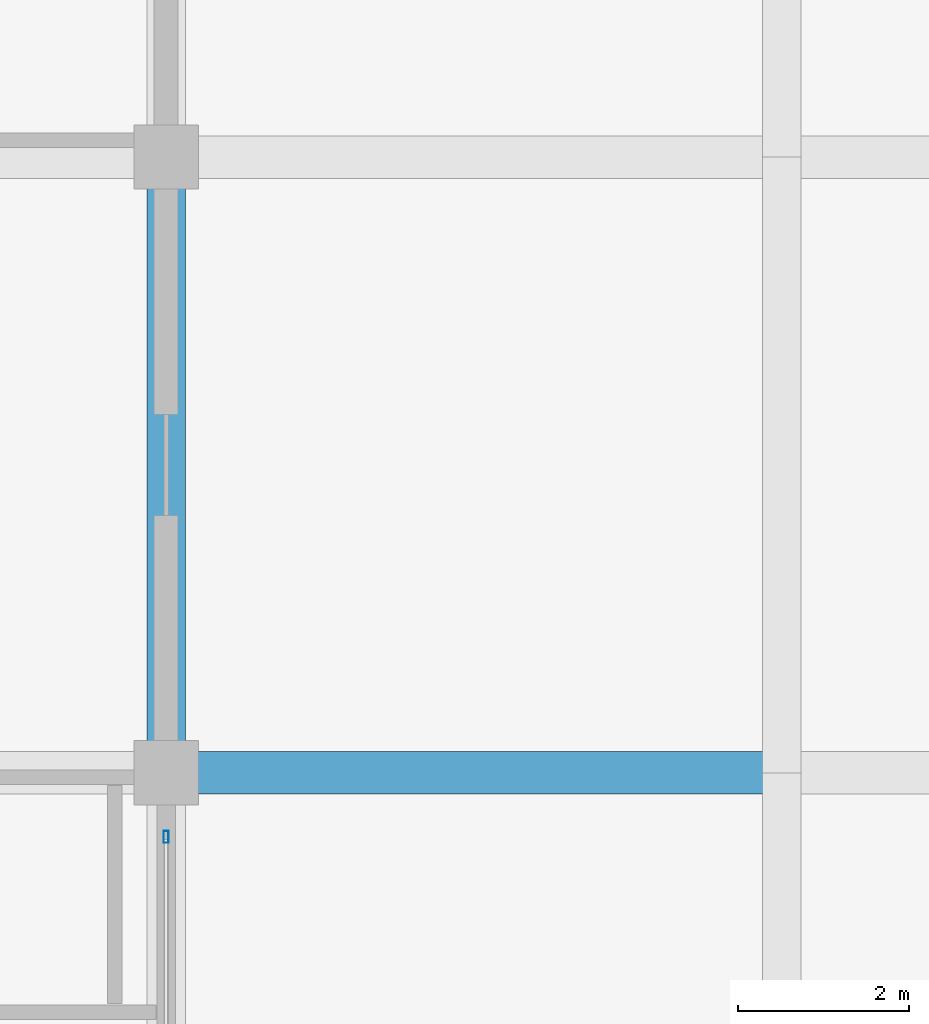
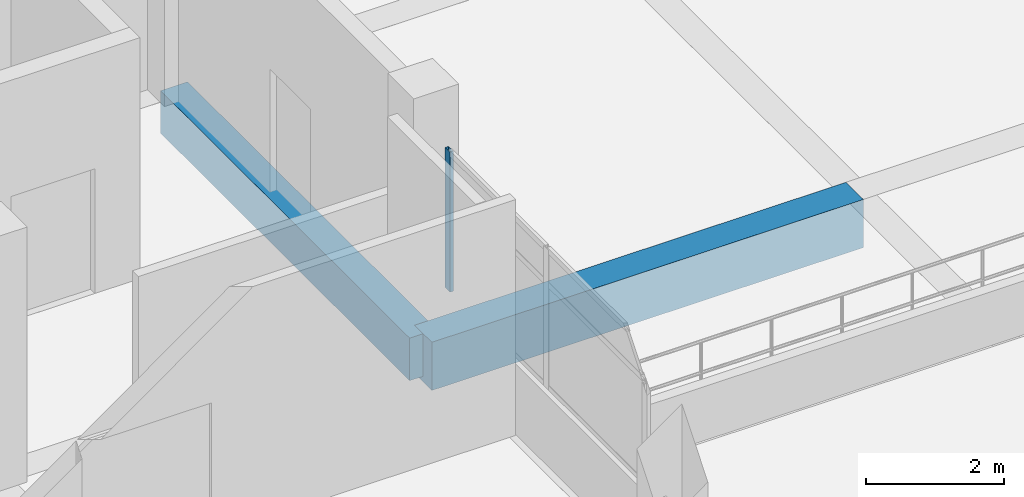
# One storey, part 39 of 141: 2 beams, 1 member, 1 element without a shape of its own.
"""IFC4 building model written with IfcOpenShell, lengths in metres."""

from ifc_helpers import new_model, si_unit, direction, frame, origin, origin_2d, place, context, subcontext, project, spatial, rectangle, hollow_rectangle, extrude, material, layer, layer_set, material_profile, profile_set, type_object, element, aggregate, save


model = new_model("IFC4")

# Units and contexts
model_context = context("Model", 3, precision=1e-05, world=origin(), true_north=direction((0.0, 1.0)))
body_context = subcontext(model_context, "Body", "Model", "MODEL_VIEW")
ifc_project = project(units=[si_unit("LENGTHUNIT", "METRE"), si_unit("AREAUNIT", "SQUARE_METRE"), si_unit("VOLUMEUNIT", "CUBIC_METRE"), si_unit("PLANEANGLEUNIT", "RADIAN"), si_unit("MASSUNIT", "GRAM", prefix="KILO")], contexts=[model_context])

# Site, building, storey
site_placement = place(None, origin())
site = spatial("IfcSite", under=ifc_project, at=site_placement, CompositionType="ELEMENT")
building_placement = place(site_placement, origin())
building = spatial("IfcBuilding", under=site, at=building_placement, Name="Seraya Terrace Polytechnic", CompositionType="ELEMENT")
storey_placement = place(building_placement, frame((0.0, 0.0, 14.39990234375)))
storey = spatial("IfcBuildingStorey", under=building, at=storey_placement, Name="L03", CompositionType="ELEMENT", Elevation=14.39990234375)

# Beams
ifc_material_1 = material(Name="Concrete C40/50", Category="concrete")
ifc_material_profile_1 = material_profile(ifc_material_1, rectangle(XDim=0.5, YDim=0.85009765625, at=origin_2d()), Name="RC 500x850")
ifc_profile_set_1 = profile_set([ifc_material_profile_1], Name="Concrete C40/50")
beam_type_1 = type_object("IfcBeamType", Name="BM-05", PredefinedType="BEAM", material=ifc_profile_set_1)
beam_1_placement = place(storey_placement, frame((115.199951171875, 7.199951171875, -0.4248046875), z_axis=(1.0, 0.0, 0.0), x_axis=(0.0, 1.0, 0.0)))
element("IfcBeam", 1, at=beam_1_placement, inside=storey, type_object=beam_type_1, Name="Beam BM-05 L03 X (115.2..122.4, 7.2)", PredefinedType="BEAM", context=body_context, shape_type="SweptSolid", body=[
    extrude(rectangle(XDim=0.5, YDim=0.85009765625, at=origin_2d()), origin(), (0.0, 0.0, 1.0), 7.199951171875),
])
ifc_material_profile_2 = material_profile(ifc_material_1, rectangle(XDim=0.449951171875, YDim=0.75, at=origin_2d()), Name="RC 450x750")
ifc_profile_set_2 = profile_set([ifc_material_profile_2], Name="Concrete C40/50")
beam_type_2 = type_object("IfcBeamType", Name="BM-08", PredefinedType="BEAM", material=ifc_profile_set_2)
beam_2_placement = place(storey_placement, frame((115.199951171875, 7.199951171875, -0.375), z_axis=(0.0, 1.0, 0.0), x_axis=(-1.0, 0.0, 0.0)))
element("IfcBeam", 2, at=beam_2_placement, inside=storey, type_object=beam_type_2, Name="Beam BM-08 L03 Y (115.2, 7.2..14.4)", PredefinedType="BEAM", context=body_context, shape_type="SweptSolid", body=[
    extrude(rectangle(XDim=0.449951171875, YDim=0.75, at=origin_2d()), origin(), (0.0, 0.0, 1.0), 7.199951171875),
])

# Curtain wall, member
ifc_material_2 = material(Name="Anodised aluminium EN AW-6063 T6", Category="aluminium")
ifc_layer = layer(ifc_material_2, 0.179931640625, Name="CW-27")
ifc_layer_set = layer_set([ifc_layer], Name="Anodised aluminium EN AW-6063 T6")
curtain_wall_type = type_object("IfcCurtainWallType", Name="CW-27", PredefinedType="NOTDEFINED", material=ifc_layer_set)
curtain_wall_placement = place(storey_placement, origin())
curtain_wall = element("IfcCurtainWall", 3, at=curtain_wall_placement, inside=storey, type_object=curtain_wall_type, Name="Unitised curtain wall CW-27 (CW-L03-135)", PredefinedType="NOTDEFINED")
ifc_material_profile_3 = material_profile(ifc_material_2, hollow_rectangle(XDim=0.06005859375, YDim=0.139892578125, WallThickness=0.00341796875, at=origin_2d()), Name="RHS 140x60x3.5")
ifc_profile_set_3 = profile_set([ifc_material_profile_3], Name="Anodised aluminium EN AW-6063 T6")
member_type = type_object("IfcMemberType", Name="CWM-03", PredefinedType="MULLION", material=ifc_profile_set_3)
member_placement = place(storey_placement, frame((115.199951171875, 6.449951171875, 1.239990234375), z_axis=(0.0, 0.0, 1.0), x_axis=(1.0, 0.0, 0.0)))
member = element("IfcMember", 4, at=member_placement, type_object=member_type, Name="CW-27 mullion 1", PredefinedType="MULLION", context=body_context, shape_type="SweptSolid", body=[
    extrude(hollow_rectangle(XDim=0.06005859375, YDim=0.139892578125, WallThickness=0.00341796875, at=origin_2d()), origin(), (0.0, 0.0, 1.0), 2.47021484375),
])
aggregate(curtain_wall, [member])

save(model, "model.ifc")
